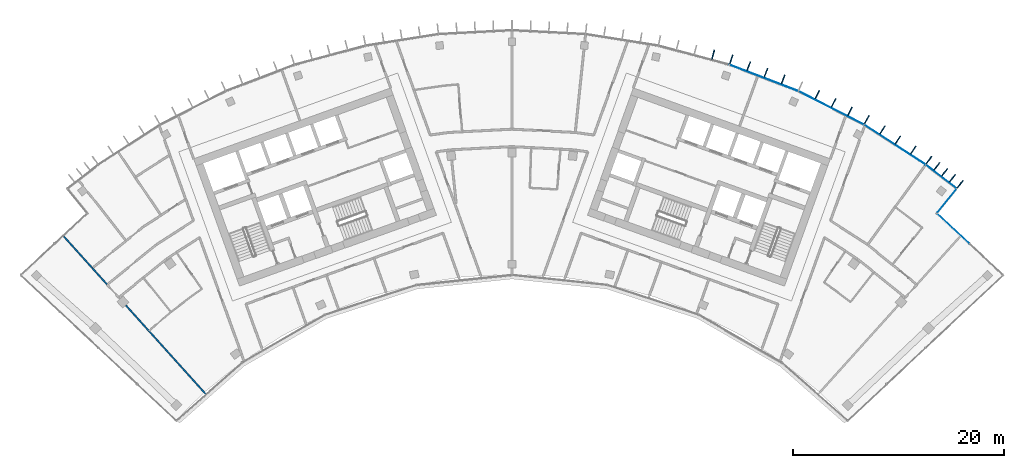
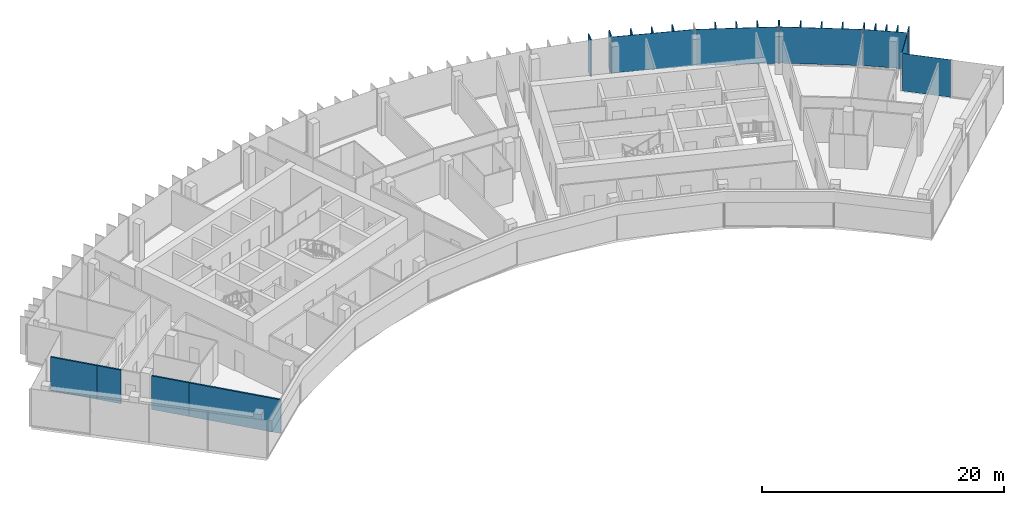
# One storey, part 12 of 19: 23 plates, 4 walls, 3 elements without a shape of their own.
"""IFC4 building model written with IfcOpenShell, lengths in metres."""

from ifc_helpers import new_model, si_unit, direction, frame, frame_2d, origin, origin_2d, place, context, subcontext, project, spatial, rectangle, extrude, material, layer, layer_set, type_object, element, aggregate, save


model = new_model("IFC4")

# Units and contexts
model_context = context("Model", 3, precision=1e-05, world=origin(), true_north=direction((0.0, 1.0)))
body_context = subcontext(model_context, "Body", "Model", "MODEL_VIEW")
ifc_project = project(units=[si_unit("LENGTHUNIT", "METRE"), si_unit("AREAUNIT", "SQUARE_METRE"), si_unit("VOLUMEUNIT", "CUBIC_METRE"), si_unit("PLANEANGLEUNIT", "RADIAN"), si_unit("MASSUNIT", "GRAM", prefix="KILO")], contexts=[model_context])

# Site, building, storey
site_placement = place(None, origin())
site = spatial("IfcSite", under=ifc_project, at=site_placement, CompositionType="ELEMENT")
building_placement = place(site_placement, origin())
building = spatial("IfcBuilding", under=site, at=building_placement, Name="Stone Belt Terrace Tower", CompositionType="ELEMENT")
storey_placement = place(building_placement, frame((0.0, 0.0, 303.60009765625)))
storey = spatial("IfcBuildingStorey", under=building, at=storey_placement, Name="L74", CompositionType="ELEMENT", Elevation=303.60009765625)

# Curtain wall, plates
ifc_material_1 = material(Name="Aluminium 6063-T6 anodised frame", Category="aluminium")
ifc_layer_1 = layer(ifc_material_1, 0.14990234375)
ifc_layer_set_1 = layer_set([ifc_layer_1], Name="CW-A unitised convex-face curtain wall")
curtain_wall_type_1 = type_object("IfcCurtainWallType", Name="CW-A unitised convex-face curtain wall", PredefinedType="NOTDEFINED", material=ifc_layer_set_1)
curtain_wall_1_placement = place(storey_placement, origin())
curtain_wall_1 = element("IfcCurtainWall", 1, at=curtain_wall_1_placement, inside=storey, type_object=curtain_wall_type_1, Name="CW-A convex face L74", PredefinedType="NOTDEFINED")
ifc_material_2 = material(Name="Clear double glazed unit")
ifc_layer_2 = layer(ifc_material_2, 0.031982421875)
ifc_layer_set_2 = layer_set([ifc_layer_2], Name="CW-A glass panel 32")
plate_type_1 = type_object("IfcPlateType", Name="CW-A glass panel 32", PredefinedType="CURTAIN_PANEL", material=ifc_layer_set_2)
plate_1_placement = place(storey_placement, frame((40.583251953125, 52.744140625, 0.14013671875), z_axis=(0.0, 0.0, 1.0), x_axis=(-0.792693871824, 0.60961990254, 0.0)))
plate_1 = element("IfcPlate", 2, at=plate_1_placement, type_object=plate_type_1, Name="CW-A panel 1.1", PredefinedType="CURTAIN_PANEL", context=body_context, shape_type="SweptSolid", body=[
    extrude(rectangle(XDim=3.597900390625, YDim=0.031982421875, at=origin_2d()), origin(), (0.0, 0.0, 1.0), 3.659912109375),
])
plate_2_placement = place(storey_placement, frame((36.209716796875, 55.758056640625, 0.14013671875), z_axis=(0.0, 0.0, 1.0), x_axis=(-0.838670567945, 0.544639035015, 0.0)))
plate_2 = element("IfcPlate", 3, at=plate_2_placement, type_object=plate_type_1, Name="CW-A panel 2.1", PredefinedType="CURTAIN_PANEL", context=body_context, shape_type="SweptSolid", body=[
    extrude(rectangle(XDim=6.900634765625, YDim=0.031982421875, at=origin_2d()), origin(), (0.0, 0.0, 1.0), 3.659912109375),
])
plate_3_placement = place(storey_placement, frame((30.18310546875, 59.237548828125, 0.14013671875), z_axis=(0.0, 0.0, 1.0), x_axis=(-0.891006524188, 0.45399049974, 0.0)))
plate_3 = element("IfcPlate", 4, at=plate_3_placement, type_object=plate_type_1, Name="CW-A panel 3.1", PredefinedType="CURTAIN_PANEL", context=body_context, shape_type="SweptSolid", body=[
    extrude(rectangle(XDim=6.90087890625, YDim=0.031982421875, at=origin_2d()), origin(), (0.0, 0.0, 1.0), 3.659912109375),
])
plate_4_placement = place(storey_placement, frame((23.82568359375, 62.068115234375, 0.14013671875), z_axis=(0.0, 0.0, 1.0), x_axis=(-0.933580426497, 0.358367949545, 0.0)))
plate_4 = element("IfcPlate", 5, at=plate_4_placement, type_object=plate_type_1, Name="CW-A panel 4.1", PredefinedType="CURTAIN_PANEL", context=body_context, shape_type="SweptSolid", body=[
    extrude(rectangle(XDim=6.90087890625, YDim=0.031982421875, at=origin_2d()), origin(), (0.0, 0.0, 1.0), 3.659912109375),
])
aggregate(curtain_wall_1, [plate_1, plate_2, plate_3, plate_4])

# Curtain wall, plate
ifc_layer_3 = layer(ifc_material_1, 0.14990234375)
ifc_layer_set_3 = layer_set([ifc_layer_3], Name="CW-C stick curtain wall, horn ends and notches")
curtain_wall_type_2 = type_object("IfcCurtainWallType", Name="CW-C stick curtain wall, horn ends and notches", PredefinedType="NOTDEFINED", material=ifc_layer_set_3)
curtain_wall_2_placement = place(storey_placement, origin())
curtain_wall_2 = element("IfcCurtainWall", 6, at=curtain_wall_2_placement, inside=storey, type_object=curtain_wall_type_2, Name="CW-C notch face L74", PredefinedType="NOTDEFINED")
ifc_layer_4 = layer(ifc_material_2, 0.028076171875)
ifc_layer_set_4 = layer_set([ifc_layer_4], Name="CW-C glass panel 28")
plate_type_2 = type_object("IfcPlateType", Name="CW-C glass panel 28", PredefinedType="CURTAIN_PANEL", material=ifc_layer_set_4)
plate_5_placement = place(storey_placement, frame((41.731201171875, 47.814208984375, 0.0), z_axis=(0.0, 0.0, 1.0), x_axis=(-0.731339333871, 0.682013767261, 0.0)))
plate_5 = element("IfcPlate", 7, at=plate_5_placement, type_object=plate_type_2, Name="CW-C panel 2.1", PredefinedType="CURTAIN_PANEL", context=body_context, shape_type="SweptSolid", body=[
    extrude(rectangle(XDim=4.12060546875, YDim=0.028076171875, at=origin_2d()), origin(), (0.0, 0.0, 1.0), 3.800048828125),
])
aggregate(curtain_wall_2, [plate_5])

curtain_wall_3_placement = place(storey_placement, origin())
curtain_wall_3 = element("IfcCurtainWall", 8, at=curtain_wall_3_placement, inside=storey, type_object=curtain_wall_type_2, Name="CW-C notch face L74", PredefinedType="NOTDEFINED")
plate_6_placement = place(storey_placement, frame((41.119140625, 50.43505859375, 0.1201171875), z_axis=(0.0, 0.0, 1.0), x_axis=(0.631001485542, 0.775781622136, 0.0)))
plate_6 = element("IfcPlate", 9, at=plate_6_placement, type_object=plate_type_2, Name="CW-C panel 1.1", PredefinedType="CURTAIN_PANEL", context=body_context, shape_type="SweptSolid", body=[
    extrude(rectangle(XDim=2.859130859375, YDim=0.028076171875, at=origin_2d()), origin(), (0.0, 0.0, 1.0), 3.679931640625),
])
aggregate(curtain_wall_3, [plate_6])

# Plates
ifc_material_3 = material(Name="Terracotta coloured glazed ceramic", Category="masonry")
ifc_layer_5 = layer(ifc_material_3, 0.10009765625)
ifc_layer_set_5 = layer_set([ifc_layer_5], Name="Terracotta fin 100 x 900")
plate_type_3 = type_object("IfcPlateType", Name="Terracotta fin 100 x 900", PredefinedType="SHEET", material=ifc_layer_set_5)
for number, where, z_axis, x_axis, name in (
    (10, (42.388427734375, 52.01806640625, 0.0), (0.0, 0.0, 1.0), (0.60961990254, 0.792693871824, 0.0), "FIN L74 1.1"),
    (11, (41.654052734375, 52.582763671875, 0.0), (0.0, 0.0, 1.0), (0.60961990254, 0.792693871824, 0.0), "FIN L74 1.2"),
    (12, (40.919677734375, 53.147705078125, 0.0), (0.0, 0.0, 1.0), (0.60961990254, 0.792693871824, 0.0), "FIN L74 1.3"),
    (13, (40.185546875, 53.71240234375, 0.0), (0.0, 0.0, 1.0), (0.60961990254, 0.792693871824, 0.0), "FIN L74 1.4"),
    (14, (39.434326171875, 54.28955078125, 0.0), (0.0, 0.0, 1.0), (0.577587125789, 0.816329046477, 0.0), "FIN L74 2.1"),
    (15, (37.9560546875, 55.25, 0.0), (0.0, 0.0, 1.0), (0.544639035015, 0.838670567945, 0.0), "FIN L74 2.2"),
    (16, (36.495361328125, 56.19873046875, 0.0), (0.0, 0.0, 1.0), (0.544639035015, 0.838670567945, 0.0), "FIN L74 2.3"),
    (17, (35.034423828125, 57.147216796875, 0.0), (0.0, 0.0, 1.0), (0.544639035015, 0.838670567945, 0.0), "FIN L74 2.4"),
    (18, (33.550048828125, 58.1103515625, 0.0), (0.0, 0.0, 1.0), (0.5, 0.866025403784, 0.0), "FIN L74 3.1"),
    (19, (31.9736328125, 58.914306640625, 0.0), (0.0, 0.0, 1.0), (0.45399049974, 0.891006524188, 0.0), "FIN L74 3.2"),
    (20, (30.42138671875, 59.705322265625, 0.0), (0.0, 0.0, 1.0), (0.45399049974, 0.891006524188, 0.0), "FIN L74 3.3"),
    (21, (28.869140625, 60.496337890625, 0.0), (0.0, 0.0, 1.0), (0.45399049974, 0.891006524188, 0.0), "FIN L74 3.4"),
    (22, (25.64013671875, 61.933837890625, 0.0), (0.0, 0.0, 1.0), (0.358367949545, 0.933580426497, 0.0), "FIN L74 4.2"),
    (23, (24.013916015625, 62.55810546875, 0.0), (0.0, 0.0, 1.0), (0.358367949545, 0.933580426497, 0.0), "FIN L74 4.3"),
    (24, (22.387451171875, 63.182373046875, 0.0), (0.0, 0.0, 1.0), (0.358367949545, 0.933580426497, 0.0), "FIN L74 4.4"),
    (25, (20.735107421875, 63.81591796875, 0.0), (0.0, 0.0, 1.0), (0.309016994375, 0.951056516295, 0.0), "FIN L74 5.1"),
    (26, (19.02587890625, 64.274658203125, 0.0), (0.0, 0.0, 1.0), (0.258819045103, 0.965925826289, 0.0), "FIN L74 5.2"),
):
    element("IfcPlate", number, at=place(storey_placement, frame(where, z_axis=z_axis, x_axis=x_axis)), inside=storey, type_object=plate_type_3, Name=name, PredefinedType="SHEET", context=body_context, shape_type="SweptSolid", body=[
        extrude(rectangle(XDim=0.89990234375, YDim=0.10009765625, at=origin_2d()), origin(), (0.0, 0.0, 1.0), 3.800048828125),
    ])

# Walls
ifc_material_4 = material(Name="Gypsum board partition")
ifc_layer_6 = layer(ifc_material_4, 0.14990234375)
ifc_layer_set_6 = layer_set([ifc_layer_6], Name="PARTITION 150 EI 60")
wall_type = type_object("IfcWallType", Name="PARTITION 150 EI 60", PredefinedType="PARTITIONING", material=ifc_layer_set_6)
wall_1_placement = place(storey_placement, frame((-34.35009765625, 38.14892578125, 0.0), z_axis=(0.0, 0.0, 1.0), x_axis=(0.669114241799, -0.743159559867, 0.0)))
element("IfcWall", 27, at=wall_1_placement, inside=storey, type_object=wall_type, Name="L74/wall/i043", PredefinedType="PARTITIONING", context=body_context, shape_type="SweptSolid", body=[
    extrude(rectangle(XDim=8.028564453125, YDim=0.14990234375, at=frame_2d((4.01416015625, 0.0))), origin(), (0.0, 0.0, 1.0), 3.39990234375),
])
wall_2_placement = place(storey_placement, frame((-36.514892578125, 40.552978515625, 0.0), z_axis=(0.0, 0.0, 1.0), x_axis=(0.668981350293, -0.743279189107, 0.0)))
element("IfcWall", 28, at=wall_2_placement, inside=storey, type_object=wall_type, Name="L74/wall/i044", PredefinedType="PARTITIONING", context=body_context, shape_type="SweptSolid", body=[
    extrude(rectangle(XDim=3.24658203125, YDim=0.14990234375, at=frame_2d((1.623291015625, 0.0))), origin(), (0.0, 0.0, 1.0), 3.39990234375),
])
wall_3_placement = place(storey_placement, frame((-39.697998046875, 44.089111328125, 0.0), z_axis=(0.0, 0.0, 1.0), x_axis=(0.668856019275, -0.743391972972, 0.0)))
element("IfcWall", 29, at=wall_3_placement, inside=storey, type_object=wall_type, Name="L74/wall/i045", PredefinedType="PARTITIONING", context=body_context, shape_type="SweptSolid", body=[
    extrude(rectangle(XDim=2.109375, YDim=0.14990234375, at=frame_2d((1.0546875, 0.0))), origin(), (0.0, 0.0, 1.0), 3.39990234375),
])
wall_4_placement = place(storey_placement, frame((-42.39892578125, 47.08837890625, 0.0), z_axis=(0.0, 0.0, 1.0), x_axis=(0.669038042055, -0.743228160314, 0.0)))
element("IfcWall", 30, at=wall_4_placement, inside=storey, type_object=wall_type, Name="L74/wall/i046", PredefinedType="PARTITIONING", context=body_context, shape_type="SweptSolid", body=[
    extrude(rectangle(XDim=4.047607421875, YDim=0.14990234375, at=frame_2d((2.02392578125, 0.0))), origin(), (0.0, 0.0, 1.0), 3.39990234375),
])

save(model, "model.ifc")
